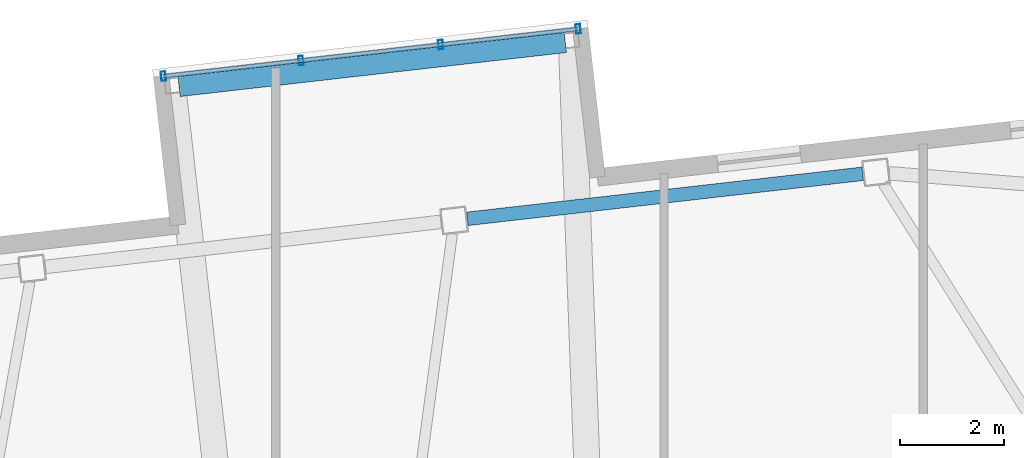
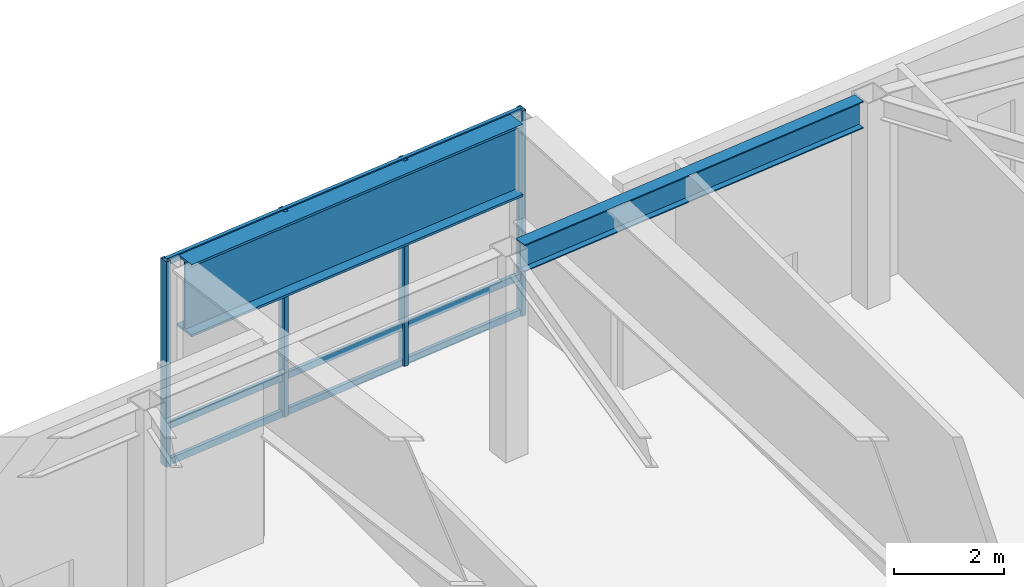
# One storey, part 12 of 21: 7 members, 2 beams, 1 element without a shape of its own.
"""IFC4 building model written with IfcOpenShell, lengths in metres."""

from ifc_helpers import new_model, si_unit, direction, frame, origin, origin_2d, place, context, subcontext, project, spatial, hollow_rectangle, i_section, extrude, material, layer, layer_set, material_profile, profile_set, type_object, element, aggregate, save


model = new_model("IFC4")

# Units and contexts
model_context = context("Model", 3, precision=1e-05, world=origin(), true_north=direction((0.0, 1.0)))
body_context = subcontext(model_context, "Body", "Model", "MODEL_VIEW")
ifc_project = project(units=[si_unit("LENGTHUNIT", "METRE"), si_unit("AREAUNIT", "SQUARE_METRE"), si_unit("VOLUMEUNIT", "CUBIC_METRE"), si_unit("PLANEANGLEUNIT", "RADIAN"), si_unit("MASSUNIT", "GRAM", prefix="KILO")], contexts=[model_context])

# Site, building, storey
site_placement = place(None, origin())
site = spatial("IfcSite", under=ifc_project, at=site_placement, CompositionType="ELEMENT")
building_placement = place(site_placement, origin())
building = spatial("IfcBuilding", under=site, at=building_placement, Name="Tavrogorsk Clinical Tower", CompositionType="ELEMENT")
storey_placement = place(building_placement, frame((0.0, 0.0, 238.199951171875)))
storey = spatial("IfcBuildingStorey", under=building, at=storey_placement, Name="L55", CompositionType="ELEMENT", Elevation=238.199951171875)

# Curtain wall, members
ifc_material_1 = material(Name="Anodised aluminium and triple IGU glazing", Category="aluminium")
ifc_layer = layer(ifc_material_1, 0.179931640625)
ifc_layer_set = layer_set([ifc_layer], Name="Anodised aluminium and triple IGU glazing")
curtain_wall_type = type_object("IfcCurtainWallType", Name="CW4_DayroomBox", PredefinedType="NOTDEFINED", material=ifc_layer_set)
curtain_wall_placement = place(storey_placement, origin())
curtain_wall = element("IfcCurtainWall", 1, at=curtain_wall_placement, inside=storey, type_object=curtain_wall_type, Name="L55 Curtain Wall CW-DRB-08-L55", PredefinedType="NOTDEFINED")
ifc_material_2 = material(Name="Anodised aluminium alloy AW-6060", Category="aluminium")
ifc_material_profile_1 = material_profile(ifc_material_2, hollow_rectangle(XDim=0.090087890625, YDim=0.179931640625, WallThickness=0.00634765625, at=origin_2d()), Name="RHS-180x90x6.3")
ifc_profile_set_1 = profile_set([ifc_material_profile_1], Name="Anodised aluminium alloy AW-6060")
member_type_1 = type_object("IfcMemberType", Name="CwMullion_180x90", PredefinedType="MULLION", material=ifc_profile_set_1)
member_1_placement = place(storey_placement, frame((1.595458984375, 29.72412109375, 0.0), z_axis=(0.0, 0.0, 1.0), x_axis=(0.993571856066, 0.113203210352, 0.0)))
member_1 = element("IfcMember", 2, at=member_1_placement, type_object=member_type_1, Name="CW-DRB-08-L55 Mullion 1", PredefinedType="MULLION", context=body_context, shape_type="SweptSolid", body=[
    extrude(hollow_rectangle(XDim=0.090087890625, YDim=0.179931640625, WallThickness=0.00634765625, at=origin_2d()), origin(), (0.0, 0.0, 1.0), 4.5400390625),
])
member_2_placement = place(storey_placement, frame((4.2333984375, 30.024658203125, 0.0), z_axis=(0.0, 0.0, 1.0), x_axis=(0.993571856066, 0.113203210352, 0.0)))
member_2 = element("IfcMember", 3, at=member_2_placement, type_object=member_type_1, Name="CW-DRB-08-L55 Mullion 2", PredefinedType="MULLION", context=body_context, shape_type="SweptSolid", body=[
    extrude(hollow_rectangle(XDim=0.090087890625, YDim=0.179931640625, WallThickness=0.00634765625, at=origin_2d()), origin(), (0.0, 0.0, 1.0), 4.5400390625),
])
member_3_placement = place(storey_placement, frame((6.916015625, 30.330322265625, 0.0), z_axis=(0.0, 0.0, 1.0), x_axis=(0.993571856066, 0.113203210352, 0.0)))
member_3 = element("IfcMember", 4, at=member_3_placement, type_object=member_type_1, Name="CW-DRB-08-L55 Mullion 3", PredefinedType="MULLION", context=body_context, shape_type="SweptSolid", body=[
    extrude(hollow_rectangle(XDim=0.090087890625, YDim=0.179931640625, WallThickness=0.00634765625, at=origin_2d()), origin(), (0.0, 0.0, 1.0), 4.5400390625),
])
member_4_placement = place(storey_placement, frame((9.553955078125, 30.630859375, 0.0), z_axis=(0.0, 0.0, 1.0), x_axis=(0.993571856066, 0.113203210352, 0.0)))
member_4 = element("IfcMember", 5, at=member_4_placement, type_object=member_type_1, Name="CW-DRB-08-L55 Mullion 4", PredefinedType="MULLION", context=body_context, shape_type="SweptSolid", body=[
    extrude(hollow_rectangle(XDim=0.090087890625, YDim=0.179931640625, WallThickness=0.00634765625, at=origin_2d()), origin(), (0.0, 0.0, 1.0), 4.5400390625),
])
ifc_material_3 = material(Name="Anodised aluminium alloy AW-6060", Category="aluminium")
ifc_material_profile_2 = material_profile(ifc_material_3, hollow_rectangle(XDim=0.074951171875, YDim=0.14990234375, WallThickness=0.0048828125, at=origin_2d()), Name="RHS-150x75x5")
ifc_profile_set_2 = profile_set([ifc_material_profile_2], Name="Anodised aluminium alloy AW-6060")
member_type_2 = type_object("IfcMemberType", Name="CwTransom_150x75", PredefinedType="USERDEFINED", material=ifc_profile_set_2)
member_5_placement = place(storey_placement, frame((1.595458984375, 29.72412109375, 0.050048828125), z_axis=(0.993572105794, 0.113201018496, 0.0), x_axis=(-0.113201018496, 0.993572105794, 0.0)))
member_5 = element("IfcMember", 6, at=member_5_placement, type_object=member_type_2, Name="CW-DRB-08-L55 Transom 1", ObjectType="TRANSOM", PredefinedType="USERDEFINED", context=body_context, shape_type="SweptSolid", body=[
    extrude(hollow_rectangle(XDim=0.074951171875, YDim=0.14990234375, WallThickness=0.0048828125, at=origin_2d()), origin(), (0.0, 0.0, 1.0), 8.010009765625),
])
member_6_placement = place(storey_placement, frame((1.595458984375, 29.72412109375, 0.85009765625), z_axis=(0.993572105794, 0.113201018496, 0.0), x_axis=(-0.113201018496, 0.993572105794, 0.0)))
member_6 = element("IfcMember", 7, at=member_6_placement, type_object=member_type_2, Name="CW-DRB-08-L55 Transom 2", ObjectType="TRANSOM", PredefinedType="USERDEFINED", context=body_context, shape_type="SweptSolid", body=[
    extrude(hollow_rectangle(XDim=0.074951171875, YDim=0.14990234375, WallThickness=0.0048828125, at=origin_2d()), origin(), (0.0, 0.0, 1.0), 8.010009765625),
])
member_7_placement = place(storey_placement, frame((1.595458984375, 29.72412109375, 4.489990234375), z_axis=(0.993572105794, 0.113201018496, 0.0), x_axis=(-0.113201018496, 0.993572105794, 0.0)))
member_7 = element("IfcMember", 8, at=member_7_placement, type_object=member_type_2, Name="CW-DRB-08-L55 Transom 3", ObjectType="TRANSOM", PredefinedType="USERDEFINED", context=body_context, shape_type="SweptSolid", body=[
    extrude(hollow_rectangle(XDim=0.074951171875, YDim=0.14990234375, WallThickness=0.0048828125, at=origin_2d()), origin(), (0.0, 0.0, 1.0), 8.010009765625),
])
aggregate(curtain_wall, [member_1, member_2, member_3, member_4, member_5, member_6, member_7])

# Beams
ifc_material_4 = material(Name="Structural steel S390", Category="steel")
ifc_material_profile_3 = material_profile(ifc_material_4, i_section(OverallWidth=0.260009765625, OverallDepth=0.60009765625, WebThickness=0.014892578125, FlangeThickness=0.02392578125, at=origin_2d()), Name="B-600x260x15x24")
ifc_profile_set_3 = profile_set([ifc_material_profile_3], Name="Structural steel S390")
beam_type_1 = type_object("IfcBeamType", Name="SpandrelBeam_B600", PredefinedType="SPANDREL", material=ifc_profile_set_3)
beam_1_placement = place(storey_placement, frame((15.01220703125, 27.850830078125, 4.239990234375), z_axis=(-0.993572099834, -0.113201070804, 0.0), x_axis=(0.113201070804, -0.993572099834, 0.0)))
element("IfcBeam", 9, at=beam_1_placement, inside=storey, type_object=beam_type_1, Name="L55 Perimeter Spandrel N2-N3", PredefinedType="SPANDREL", context=body_context, shape_type="SweptSolid", body=[
    extrude(i_section(OverallWidth=0.260009765625, OverallDepth=0.60009765625, WebThickness=0.014892578125, FlangeThickness=0.02392578125, at=origin_2d()), origin(), (0.0, 0.0, 1.0), 7.632568359375),
])
ifc_material_5 = material(Name="Structural steel S440", Category="steel")
ifc_material_profile_4 = material_profile(ifc_material_5, i_section(OverallWidth=0.449951171875, OverallDepth=1.60009765625, WebThickness=0.031982421875, FlangeThickness=0.050048828125, at=origin_2d()), Name="DK-1600x450x32x50")
ifc_profile_set_4 = profile_set([ifc_material_profile_4], Name="Structural steel S440")
beam_type_2 = type_object("IfcBeamType", Name="TransferGirder_DK1600", PredefinedType="USERDEFINED", material=ifc_profile_set_4)
beam_2_placement = place(storey_placement, frame((1.891357421875, 29.556396484375, 3.739990234375), z_axis=(0.993572168801, 0.113200465477, 0.0), x_axis=(-0.113200465477, 0.993572168801, 0.0)))
element("IfcBeam", 10, at=beam_2_placement, inside=storey, type_object=beam_type_2, Name="L55 Day-Room Front Edge Beam DRB-08", ObjectType="GIRDER", PredefinedType="USERDEFINED", context=body_context, shape_type="SweptSolid", body=[
    extrude(i_section(OverallWidth=0.449951171875, OverallDepth=1.60009765625, WebThickness=0.031982421875, FlangeThickness=0.050048828125, at=origin_2d()), origin(), (0.0, 0.0, 1.0), 7.4599609375),
])

save(model, "model.ifc")
